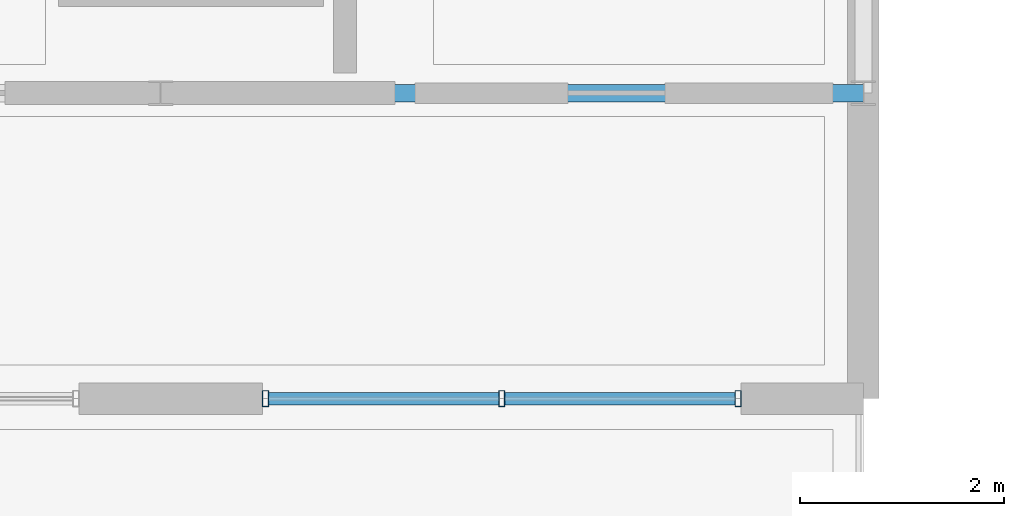
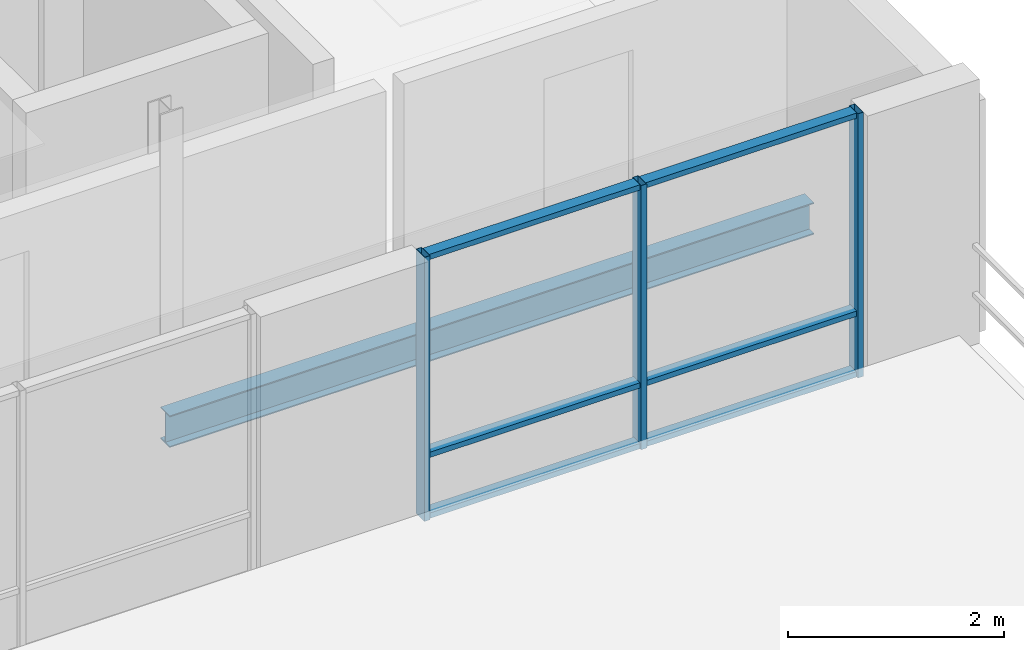
# One storey, part 29 of 109: 9 members, 1 beam, 1 element without a shape of its own.
"""IFC4 building model written with IfcOpenShell, lengths in metres."""

from ifc_helpers import new_model, si_unit, direction, frame, origin, origin_2d, place, context, subcontext, project, spatial, hollow_rectangle, i_section, extrude, material, material_profile, profile_set, type_object, element, aggregate, save


model = new_model("IFC4")

# Units and contexts
model_context = context("Model", 3, precision=1e-05, world=origin(), true_north=direction((0.0, 1.0)))
body_context = subcontext(model_context, "Body", "Model", "MODEL_VIEW")
ifc_project = project(units=[si_unit("LENGTHUNIT", "METRE"), si_unit("AREAUNIT", "SQUARE_METRE"), si_unit("VOLUMEUNIT", "CUBIC_METRE"), si_unit("PLANEANGLEUNIT", "RADIAN"), si_unit("MASSUNIT", "GRAM", prefix="KILO")], contexts=[model_context])

# Site, building, storey
site_placement = place(None, origin())
site = spatial("IfcSite", under=ifc_project, at=site_placement, CompositionType="ELEMENT")
building_placement = place(site_placement, origin())
building = spatial("IfcBuilding", under=site, at=building_placement, Name="Zavelmont Quarter", CompositionType="ELEMENT")
storey_placement = place(building_placement, frame((0.0, 0.0, 8.0)))
storey = spatial("IfcBuildingStorey", under=building, at=storey_placement, Name="L02", CompositionType="ELEMENT", Elevation=8.0)

# Beam
ifc_material_1 = material(Name="Steel S355", Category="steel")
ifc_material_profile_1 = material_profile(ifc_material_1, i_section(OverallWidth=0.169921875, OverallDepth=0.360107421875, WebThickness=0.008056640625, FlangeThickness=0.0126953125, at=origin_2d()), Name="IPE 360")
ifc_profile_set_1 = profile_set([ifc_material_profile_1], Name="Steel S355")
beam_type = type_object("IfcBeamType", Name="BM13", PredefinedType="BEAM", material=ifc_profile_set_1)
beam_placement = place(storey_placement, frame((13.800048828125, 78.0, -0.449951171875), z_axis=(1.0, 0.0, 0.0), x_axis=(0.0, 1.0, 0.0)))
element("IfcBeam", 1, at=beam_placement, inside=storey, type_object=beam_type, Name="L02 beam BM13 3/M to 4/M", PredefinedType="BEAM", context=body_context, shape_type="SweptSolid", body=[
    extrude(i_section(OverallWidth=0.169921875, OverallDepth=0.360107421875, WebThickness=0.008056640625, FlangeThickness=0.0126953125, at=origin_2d()), origin(), (0.0, 0.0, 1.0), 6.89990234375),
])

# Curtain wall, members
ifc_material_2 = material(Name="Thermally broken aluminium and double low-E safety glazing", Category="aluminium")
curtain_wall_type = type_object("IfcCurtainWallType", Name="CW-470X299", PredefinedType="NOTDEFINED", material=ifc_material_2)
curtain_wall_placement = place(storey_placement, origin())
curtain_wall = element("IfcCurtainWall", 2, at=curtain_wall_placement, inside=storey, type_object=curtain_wall_type, Name="L02 unitised curtain wall CW-470X299", PredefinedType="NOTDEFINED")
ifc_material_3 = material(Name="Powder-coated aluminium EN AW-6063-T6", Category="aluminium")
ifc_material_profile_2 = material_profile(ifc_material_3, hollow_rectangle(XDim=0.06005859375, YDim=0.159912109375, WallThickness=0.00390625, at=origin_2d()), Name="CWM60X160")
ifc_profile_set_2 = profile_set([ifc_material_profile_2], Name="Powder-coated aluminium EN AW-6063-T6")
member_type_1 = type_object("IfcMemberType", Name="CWM01", PredefinedType="MULLION", material=ifc_profile_set_2)
member_1_placement = place(storey_placement, frame((14.830078125, 75.0, 0.0), z_axis=(0.0, 0.0, 1.0), x_axis=(1.0, 0.0, 0.0)))
member_1 = element("IfcMember", 3, at=member_1_placement, type_object=member_type_1, Name="CW-470X299 mullion 1", PredefinedType="MULLION", context=body_context, shape_type="SweptSolid", body=[
    extrude(hollow_rectangle(XDim=0.06005859375, YDim=0.159912109375, WallThickness=0.00390625, at=origin_2d()), origin(), (0.0, 0.0, 1.0), 2.989990234375),
])
member_2_placement = place(storey_placement, frame((17.14990234375, 75.0, 0.0), z_axis=(0.0, 0.0, 1.0), x_axis=(1.0, 0.0, 0.0)))
member_2 = element("IfcMember", 4, at=member_2_placement, type_object=member_type_1, Name="CW-470X299 mullion 2", PredefinedType="MULLION", context=body_context, shape_type="SweptSolid", body=[
    extrude(hollow_rectangle(XDim=0.06005859375, YDim=0.159912109375, WallThickness=0.00390625, at=origin_2d()), origin(), (0.0, 0.0, 1.0), 2.989990234375),
])
member_3_placement = place(storey_placement, frame((19.469970703125, 75.0, 0.0), z_axis=(0.0, 0.0, 1.0), x_axis=(1.0, 0.0, 0.0)))
member_3 = element("IfcMember", 5, at=member_3_placement, type_object=member_type_1, Name="CW-470X299 mullion 3", PredefinedType="MULLION", context=body_context, shape_type="SweptSolid", body=[
    extrude(hollow_rectangle(XDim=0.06005859375, YDim=0.159912109375, WallThickness=0.00390625, at=origin_2d()), origin(), (0.0, 0.0, 1.0), 2.989990234375),
])
ifc_material_profile_3 = material_profile(ifc_material_3, hollow_rectangle(XDim=0.1201171875, YDim=0.06005859375, WallThickness=0.00390625, at=origin_2d()), Name="CWT60X120")
ifc_profile_set_3 = profile_set([ifc_material_profile_3], Name="Powder-coated aluminium EN AW-6063-T6")
member_type_2 = type_object("IfcMemberType", Name="CWT01", PredefinedType="NOTDEFINED", material=ifc_profile_set_3)
member_4_placement = place(storey_placement, frame((14.860107421875, 75.0, 0.030029296875), z_axis=(1.0, 0.0, 0.0), x_axis=(0.0, 1.0, 0.0)))
member_4 = element("IfcMember", 6, at=member_4_placement, type_object=member_type_2, Name="CW-470X299 transom 1.1", ObjectType="TRANSOM", PredefinedType="USERDEFINED", context=body_context, shape_type="SweptSolid", body=[
    extrude(hollow_rectangle(XDim=0.1201171875, YDim=0.06005859375, WallThickness=0.00390625, at=origin_2d()), origin(), (0.0, 0.0, 1.0), 2.260009765625),
])
member_5_placement = place(storey_placement, frame((14.860107421875, 75.0, 0.718017578125), z_axis=(1.0, 0.0, 0.0), x_axis=(0.0, 1.0, 0.0)))
member_5 = element("IfcMember", 7, at=member_5_placement, type_object=member_type_2, Name="CW-470X299 transom 1.2", ObjectType="TRANSOM", PredefinedType="USERDEFINED", context=body_context, shape_type="SweptSolid", body=[
    extrude(hollow_rectangle(XDim=0.1201171875, YDim=0.06005859375, WallThickness=0.00390625, at=origin_2d()), origin(), (0.0, 0.0, 1.0), 2.260009765625),
])
member_6_placement = place(storey_placement, frame((14.860107421875, 75.0, 2.9599609375), z_axis=(1.0, 0.0, 0.0), x_axis=(0.0, 1.0, 0.0)))
member_6 = element("IfcMember", 8, at=member_6_placement, type_object=member_type_2, Name="CW-470X299 transom 1.3", ObjectType="TRANSOM", PredefinedType="USERDEFINED", context=body_context, shape_type="SweptSolid", body=[
    extrude(hollow_rectangle(XDim=0.1201171875, YDim=0.06005859375, WallThickness=0.00390625, at=origin_2d()), origin(), (0.0, 0.0, 1.0), 2.260009765625),
])
member_7_placement = place(storey_placement, frame((17.179931640625, 75.0, 0.030029296875), z_axis=(1.0, 0.0, 0.0), x_axis=(0.0, 1.0, 0.0)))
member_7 = element("IfcMember", 9, at=member_7_placement, type_object=member_type_2, Name="CW-470X299 transom 2.1", ObjectType="TRANSOM", PredefinedType="USERDEFINED", context=body_context, shape_type="SweptSolid", body=[
    extrude(hollow_rectangle(XDim=0.1201171875, YDim=0.06005859375, WallThickness=0.00390625, at=origin_2d()), origin(), (0.0, 0.0, 1.0), 2.260009765625),
])
member_8_placement = place(storey_placement, frame((17.179931640625, 75.0, 0.718017578125), z_axis=(1.0, 0.0, 0.0), x_axis=(0.0, 1.0, 0.0)))
member_8 = element("IfcMember", 10, at=member_8_placement, type_object=member_type_2, Name="CW-470X299 transom 2.2", ObjectType="TRANSOM", PredefinedType="USERDEFINED", context=body_context, shape_type="SweptSolid", body=[
    extrude(hollow_rectangle(XDim=0.1201171875, YDim=0.06005859375, WallThickness=0.00390625, at=origin_2d()), origin(), (0.0, 0.0, 1.0), 2.260009765625),
])
member_9_placement = place(storey_placement, frame((17.179931640625, 75.0, 2.9599609375), z_axis=(1.0, 0.0, 0.0), x_axis=(0.0, 1.0, 0.0)))
member_9 = element("IfcMember", 11, at=member_9_placement, type_object=member_type_2, Name="CW-470X299 transom 2.3", ObjectType="TRANSOM", PredefinedType="USERDEFINED", context=body_context, shape_type="SweptSolid", body=[
    extrude(hollow_rectangle(XDim=0.1201171875, YDim=0.06005859375, WallThickness=0.00390625, at=origin_2d()), origin(), (0.0, 0.0, 1.0), 2.260009765625),
])
aggregate(curtain_wall, [member_1, member_2, member_3, member_4, member_5, member_6, member_7, member_8, member_9])

save(model, "model.ifc")
